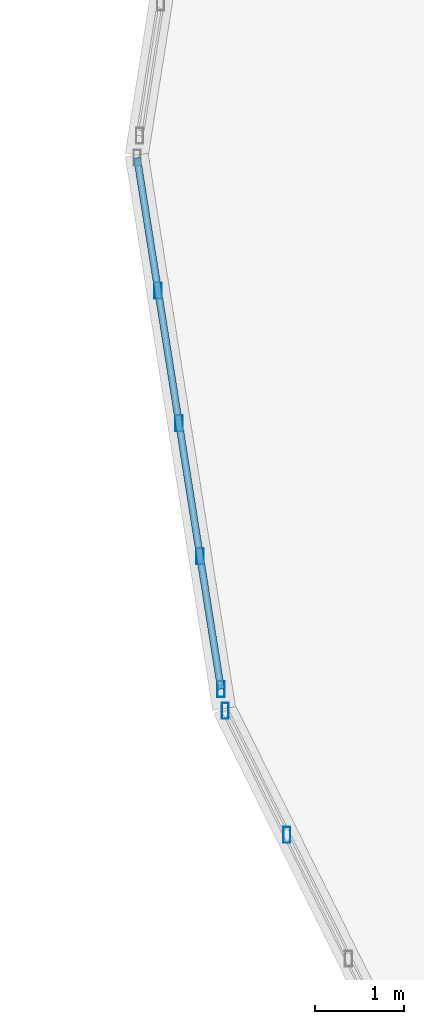
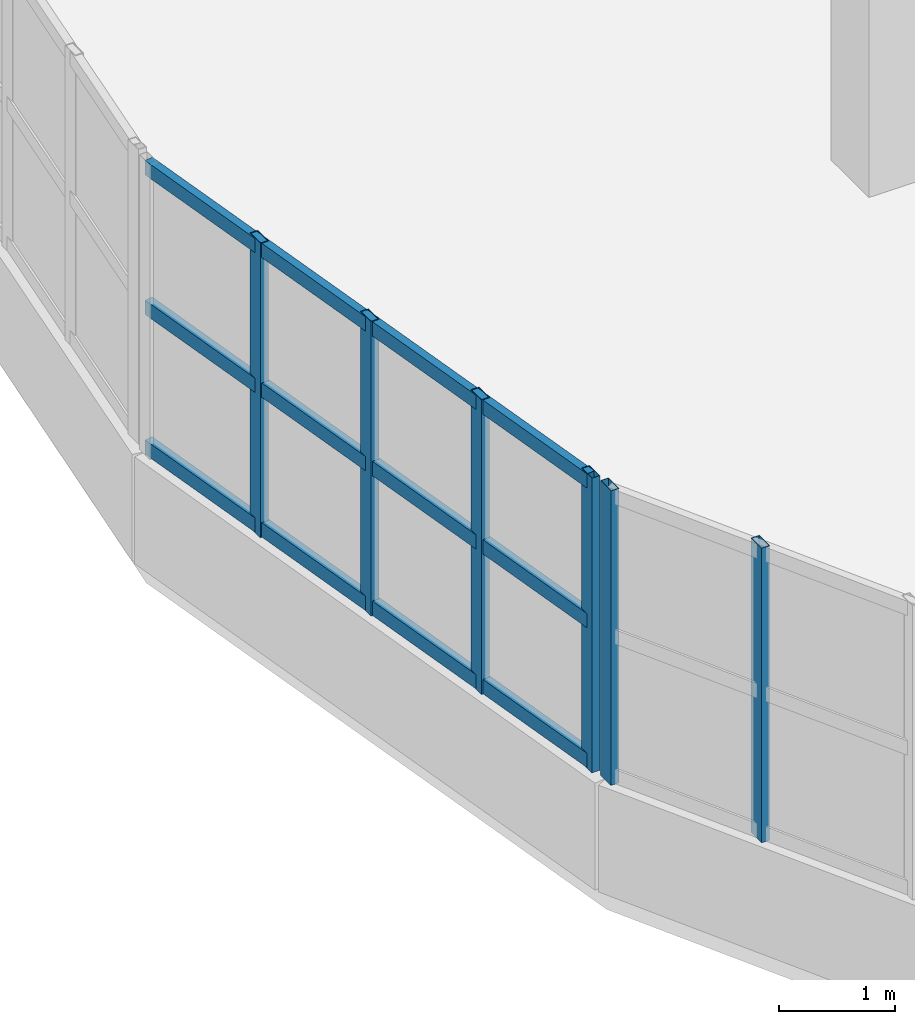
# One storey, part 8 of 50: 9 members, 2 elements without a shape of their own.
"""IFC4 building model written with IfcOpenShell, lengths in metres."""

from ifc_helpers import new_model, si_unit, direction, frame, origin, origin_2d, place, context, subcontext, project, spatial, hollow_rectangle, extrude, material, material_profile, profile_set, type_object, element, aggregate, save


model = new_model("IFC4")

# Units and contexts
model_context = context("Model", 3, precision=1e-05, world=origin(), true_north=direction((0.0, 1.0)))
body_context = subcontext(model_context, "Body", "Model", "MODEL_VIEW")
ifc_project = project(units=[si_unit("LENGTHUNIT", "METRE"), si_unit("AREAUNIT", "SQUARE_METRE"), si_unit("VOLUMEUNIT", "CUBIC_METRE"), si_unit("PLANEANGLEUNIT", "RADIAN"), si_unit("MASSUNIT", "GRAM", prefix="KILO")], contexts=[model_context])

# Site, building, storey
site_placement = place(None, origin())
site = spatial("IfcSite", under=ifc_project, at=site_placement, CompositionType="ELEMENT")
building_placement = place(site_placement, origin())
building = spatial("IfcBuilding", under=site, at=building_placement, Name="Solvento Point Concert Hall", CompositionType="ELEMENT")
storey_placement = place(building_placement, frame((0.0, 0.0, 15.0)))
storey = spatial("IfcBuildingStorey", under=building, at=storey_placement, Name="L03", CompositionType="ELEMENT", Elevation=15.0)

# Curtain wall, members
ifc_material_1 = material(Name="Anodized Bronze Aluminium", Category="aluminium")
curtain_wall_type = type_object("IfcCurtainWallType", Name="CurtainWall_RingRibbon_L03_04", PredefinedType="USERDEFINED", material=ifc_material_1)
curtain_wall_1_placement = place(storey_placement, origin())
curtain_wall_1 = element("IfcCurtainWall", 1, at=curtain_wall_1_placement, inside=storey, type_object=curtain_wall_type, Name="Unitised curtain wall CW-31 UCW-L03-189", ObjectType="UNITISED CURTAIN WALL", PredefinedType="USERDEFINED")
ifc_material_2 = material(Name="Anodized Bronze Aluminium", Category="aluminium")
ifc_material_profile_1 = material_profile(ifc_material_2, hollow_rectangle(XDim=0.080078125, YDim=0.179931640625, WallThickness=0.00390625, at=origin_2d()), Name="CW-MUL-80X180")
ifc_profile_set_1 = profile_set([ifc_material_profile_1], Name="Anodized Bronze Aluminium")
member_type_1 = type_object("IfcMemberType", Name="Mullion_80x180", PredefinedType="MULLION", material=ifc_profile_set_1)
member_1_placement = place(storey_placement, frame((34.086181640625, 24.47021484375, 1.1201171875), z_axis=(0.0, 0.0, 1.0), x_axis=(1.0, 0.0, 0.0)))
member_1 = element("IfcMember", 2, at=member_1_placement, type_object=member_type_1, Name="Curtain wall mullion ML-01", PredefinedType="MULLION", context=body_context, shape_type="SweptSolid", body=[
    extrude(hollow_rectangle(XDim=0.080078125, YDim=0.179931640625, WallThickness=0.00390625, at=origin_2d()), origin(), (0.0, 0.0, 1.0), 3.08984375),
])
member_2_placement = place(storey_placement, frame((33.394775390625, 25.861328125, 1.1201171875), z_axis=(0.0, 0.0, 1.0), x_axis=(1.0, 0.0, 0.0)))
member_2 = element("IfcMember", 3, at=member_2_placement, type_object=member_type_1, Name="Curtain wall mullion ML-01", PredefinedType="MULLION", context=body_context, shape_type="SweptSolid", body=[
    extrude(hollow_rectangle(XDim=0.080078125, YDim=0.179931640625, WallThickness=0.00390625, at=origin_2d()), origin(), (0.0, 0.0, 1.0), 3.08984375),
])
aggregate(curtain_wall_1, [member_1, member_2])

curtain_wall_2_placement = place(storey_placement, origin())
curtain_wall_2 = element("IfcCurtainWall", 4, at=curtain_wall_2_placement, inside=storey, type_object=curtain_wall_type, Name="Unitised curtain wall CW-31 UCW-L03-190", ObjectType="UNITISED CURTAIN WALL", PredefinedType="USERDEFINED")
member_3_placement = place(storey_placement, frame((33.346923828125, 26.105712890625, 1.1201171875), z_axis=(0.0, 0.0, 1.0), x_axis=(1.0, 0.0, 0.0)))
member_3 = element("IfcMember", 5, at=member_3_placement, type_object=member_type_1, Name="Curtain wall mullion ML-01", PredefinedType="MULLION", context=body_context, shape_type="SweptSolid", body=[
    extrude(hollow_rectangle(XDim=0.080078125, YDim=0.179931640625, WallThickness=0.00390625, at=origin_2d()), origin(), (0.0, 0.0, 1.0), 3.08984375),
])
member_4_placement = place(storey_placement, frame((33.111328125, 27.5966796875, 1.1201171875), z_axis=(0.0, 0.0, 1.0), x_axis=(1.0, 0.0, 0.0)))
member_4 = element("IfcMember", 6, at=member_4_placement, type_object=member_type_1, Name="Curtain wall mullion ML-01", PredefinedType="MULLION", context=body_context, shape_type="SweptSolid", body=[
    extrude(hollow_rectangle(XDim=0.080078125, YDim=0.179931640625, WallThickness=0.00390625, at=origin_2d()), origin(), (0.0, 0.0, 1.0), 3.08984375),
])
member_5_placement = place(storey_placement, frame((32.875732421875, 29.087890625, 1.1201171875), z_axis=(0.0, 0.0, 1.0), x_axis=(1.0, 0.0, 0.0)))
member_5 = element("IfcMember", 7, at=member_5_placement, type_object=member_type_1, Name="Curtain wall mullion ML-01", PredefinedType="MULLION", context=body_context, shape_type="SweptSolid", body=[
    extrude(hollow_rectangle(XDim=0.080078125, YDim=0.179931640625, WallThickness=0.00390625, at=origin_2d()), origin(), (0.0, 0.0, 1.0), 3.08984375),
])
member_6_placement = place(storey_placement, frame((32.640380859375, 30.5791015625, 1.1201171875), z_axis=(0.0, 0.0, 1.0), x_axis=(1.0, 0.0, 0.0)))
member_6 = element("IfcMember", 8, at=member_6_placement, type_object=member_type_1, Name="Curtain wall mullion ML-01", PredefinedType="MULLION", context=body_context, shape_type="SweptSolid", body=[
    extrude(hollow_rectangle(XDim=0.080078125, YDim=0.179931640625, WallThickness=0.00390625, at=origin_2d()), origin(), (0.0, 0.0, 1.0), 3.08984375),
])
ifc_material_3 = material(Name="Anodized Bronze Aluminium", Category="aluminium")
ifc_material_profile_2 = material_profile(ifc_material_3, hollow_rectangle(XDim=0.080078125, YDim=0.14990234375, WallThickness=0.00390625, at=origin_2d()), Name="CW-TRN-80X150")
ifc_profile_set_2 = profile_set([ifc_material_profile_2], Name="Anodized Bronze Aluminium")
member_type_2 = type_object("IfcMemberType", Name="Transom_80x150", PredefinedType="USERDEFINED", material=ifc_profile_set_2)
member_7_placement = place(storey_placement, frame((33.346923828125, 26.105712890625, 1.199951171875), z_axis=(-0.156020705484, 0.987753784837, 0.0), x_axis=(-0.987753784837, -0.156020705484, 0.0)))
member_7 = element("IfcMember", 9, at=member_7_placement, type_object=member_type_2, Name="Curtain wall transom TR-01", ObjectType="TRANSOM", PredefinedType="USERDEFINED", context=body_context, shape_type="SweptSolid", body=[
    extrude(hollow_rectangle(XDim=0.080078125, YDim=0.14990234375, WallThickness=0.00390625, at=origin_2d()), origin(), (0.0, 0.0, 1.0), 6.03857421875),
])
member_8_placement = place(storey_placement, frame((33.346923828125, 26.105712890625, 2.6650390625), z_axis=(-0.156020705484, 0.987753784837, 0.0), x_axis=(-0.987753784837, -0.156020705484, 0.0)))
member_8 = element("IfcMember", 10, at=member_8_placement, type_object=member_type_2, Name="Curtain wall transom TR-01", ObjectType="TRANSOM", PredefinedType="USERDEFINED", context=body_context, shape_type="SweptSolid", body=[
    extrude(hollow_rectangle(XDim=0.080078125, YDim=0.14990234375, WallThickness=0.00390625, at=origin_2d()), origin(), (0.0, 0.0, 1.0), 6.03857421875),
])
member_9_placement = place(storey_placement, frame((33.346923828125, 26.105712890625, 4.1298828125), z_axis=(-0.156020705484, 0.987753784837, 0.0), x_axis=(-0.987753784837, -0.156020705484, 0.0)))
member_9 = element("IfcMember", 11, at=member_9_placement, type_object=member_type_2, Name="Curtain wall transom TR-01", ObjectType="TRANSOM", PredefinedType="USERDEFINED", context=body_context, shape_type="SweptSolid", body=[
    extrude(hollow_rectangle(XDim=0.080078125, YDim=0.14990234375, WallThickness=0.00390625, at=origin_2d()), origin(), (0.0, 0.0, 1.0), 6.03857421875),
])
aggregate(curtain_wall_2, [member_3, member_4, member_5, member_6, member_7, member_8, member_9])

save(model, "model.ifc")
